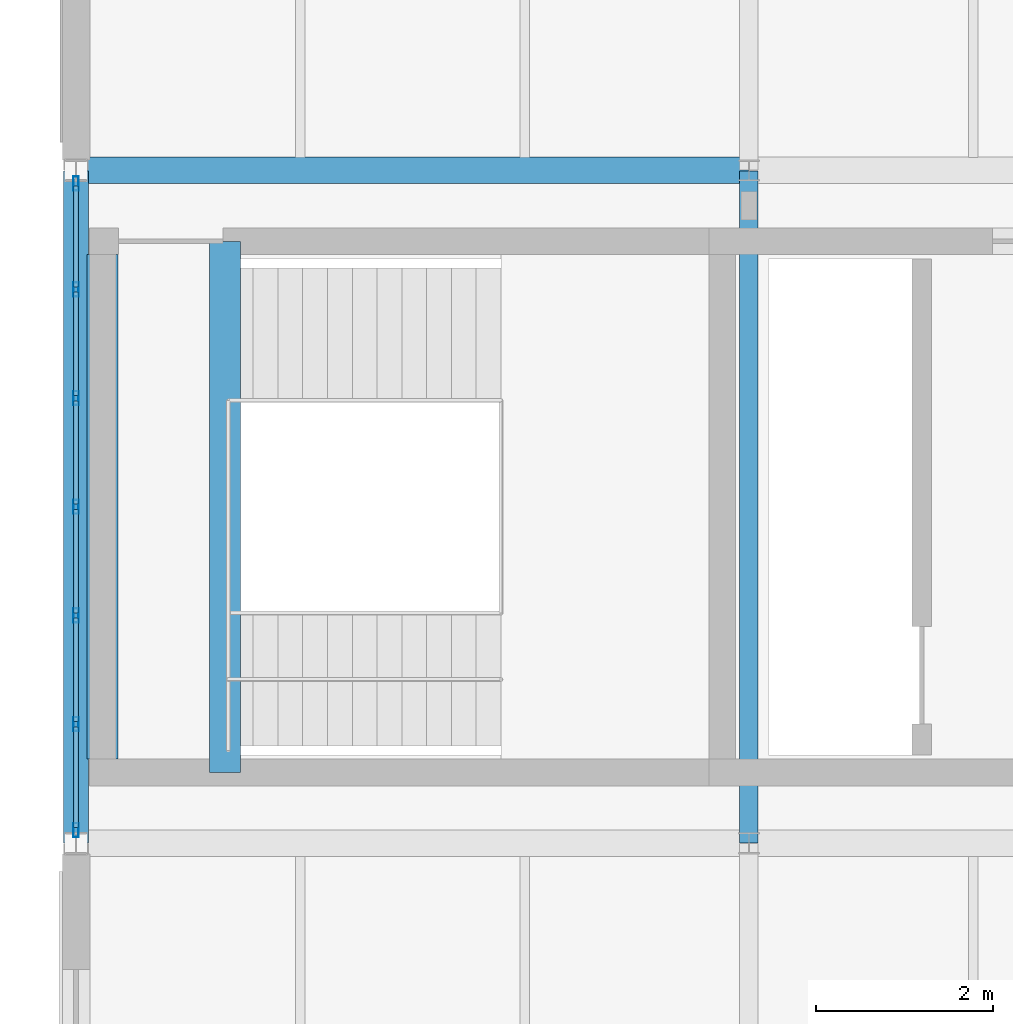
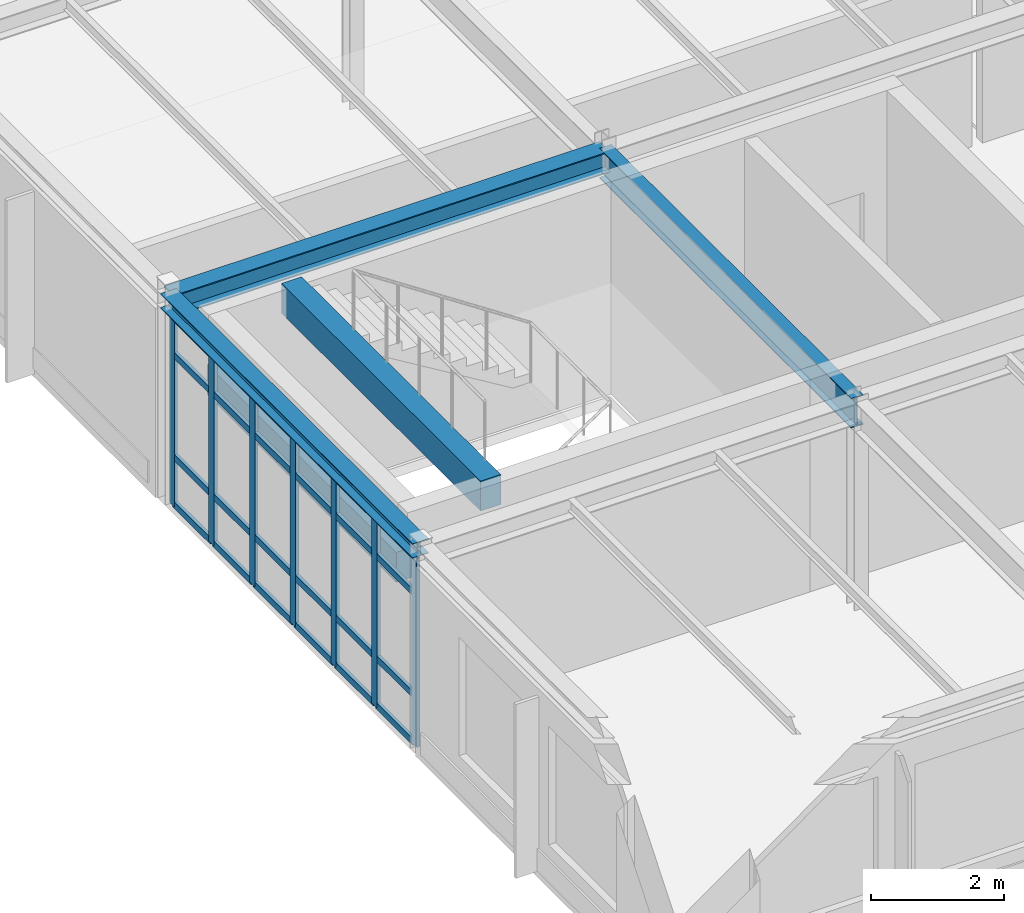
# One storey, part 26 of 189: 31 members, 5 beams, 1 element without a shape of its own.
"""IFC4 building model written with IfcOpenShell, lengths in metres."""

from ifc_helpers import new_model, si_unit, direction, frame, origin, origin_2d, place, context, subcontext, project, spatial, rectangle, hollow_rectangle, i_section, extrude, material, layer, layer_set, material_profile, profile_set, type_object, element, aggregate, save


model = new_model("IFC4")

# Units and contexts
model_context = context("Model", 3, precision=1e-05, world=origin(), true_north=direction((0.0, 1.0)))
body_context = subcontext(model_context, "Body", "Model", "MODEL_VIEW")
ifc_project = project(units=[si_unit("LENGTHUNIT", "METRE"), si_unit("AREAUNIT", "SQUARE_METRE"), si_unit("VOLUMEUNIT", "CUBIC_METRE"), si_unit("PLANEANGLEUNIT", "RADIAN"), si_unit("MASSUNIT", "GRAM", prefix="KILO")], contexts=[model_context])

# Site, building, storey
site_placement = place(None, origin())
site = spatial("IfcSite", under=ifc_project, at=site_placement, CompositionType="ELEMENT")
building_placement = place(site_placement, origin())
building = spatial("IfcBuilding", under=site, at=building_placement, Name="Montecoro Central Library", CompositionType="ELEMENT")
storey_placement = place(building_placement, frame((0.0, 0.0, 9.179931640625)))
storey = spatial("IfcBuildingStorey", under=building, at=storey_placement, Name="L02", CompositionType="ELEMENT", Elevation=9.179931640625)

# Beams
ifc_material_1 = material(Name="Steel S355", Category="steel")
ifc_material_profile_1 = material_profile(ifc_material_1, i_section(OverallWidth=0.300048828125, OverallDepth=0.389892578125, WebThickness=0.010986328125, FlangeThickness=0.01904296875, at=origin_2d()), Name="HEA 400")
ifc_profile_set_1 = profile_set([ifc_material_profile_1], Name="Steel S355")
beam_type_1 = type_object("IfcBeamType", Name="BM-G-HEA400", PredefinedType="USERDEFINED", material=ifc_profile_set_1)
beam_1_placement = place(storey_placement, frame((5.0048828125, 20.199951171875, 3.630126953125), z_axis=(1.0, 0.0, 0.0), x_axis=(0.0, 1.0, 0.0)))
element("IfcBeam", 1, at=beam_1_placement, inside=storey, type_object=beam_type_1, Name="V3-L02-BX-12-C", ObjectType="GIRDER", PredefinedType="USERDEFINED", context=body_context, shape_type="SweptSolid", body=[
    extrude(i_section(OverallWidth=0.300048828125, OverallDepth=0.389892578125, WebThickness=0.010986328125, FlangeThickness=0.01904296875, at=origin_2d()), origin(), (0.0, 0.0, 1.0), 7.590087890625),
])
ifc_material_2 = material(Name="Steel S355J2", Category="steel")
ifc_material_profile_2 = material_profile(ifc_material_2, i_section(OverallWidth=0.2099609375, OverallDepth=0.550048828125, WebThickness=0.010986328125, FlangeThickness=0.01708984375, at=origin_2d()), Name="IPE 550")
ifc_profile_set_2 = profile_set([ifc_material_profile_2], Name="Steel S355J2")
beam_type_2 = type_object("IfcBeamType", Name="BM-G-IPE550", PredefinedType="USERDEFINED", material=ifc_profile_set_2)
beam_2_placement = place(storey_placement, frame((12.60009765625, 12.60498046875, 3.550048828125), z_axis=(0.0, 1.0, 0.0), x_axis=(-1.0, 0.0, 0.0)))
element("IfcBeam", 2, at=beam_2_placement, inside=storey, type_object=beam_type_2, Name="V3-L02-BY-2-BC", ObjectType="GIRDER", PredefinedType="USERDEFINED", context=body_context, shape_type="SweptSolid", body=[
    extrude(i_section(OverallWidth=0.2099609375, OverallDepth=0.550048828125, WebThickness=0.010986328125, FlangeThickness=0.01708984375, at=origin_2d()), origin(), (0.0, 0.0, 1.0), 7.590087890625),
])
ifc_material_3 = material(Name="Concrete C35/45", Category="concrete")
ifc_material_profile_3 = material_profile(ifc_material_3, rectangle(XDim=0.35009765625, YDim=0.550048828125, at=origin_2d()), Name="RC LNT 550x350")
ifc_profile_set_3 = profile_set([ifc_material_profile_3], Name="Concrete C35/45")
beam_type_3 = type_object("IfcBeamType", Name="BM-LN-RC04", PredefinedType="LINTEL", material=ifc_profile_set_3)
beam_3_placement = place(storey_placement, frame((5.300048828125, 13.550048828125, 2.72509765625), z_axis=(0.0, 1.0, 0.0), x_axis=(-1.0, 0.0, 0.0)))
element("IfcBeam", 3, at=beam_3_placement, inside=storey, type_object=beam_type_3, Name="C4-L02-LNT", PredefinedType="LINTEL", context=body_context, shape_type="SweptSolid", body=[
    extrude(rectangle(XDim=0.35009765625, YDim=0.550048828125, at=origin_2d()), origin(), (0.0, 0.0, 1.0), 5.699951171875),
])
beam_4_placement = place(storey_placement, frame((6.679931640625, 13.39990234375, 3.64501953125), z_axis=(0.0, 1.0, 0.0), x_axis=(-1.0, 0.0, 0.0)))
element("IfcBeam", 4, at=beam_4_placement, inside=storey, type_object=beam_type_3, Name="C4-L02-ARR", PredefinedType="LINTEL", context=body_context, shape_type="SweptSolid", body=[
    extrude(rectangle(XDim=0.35009765625, YDim=0.550048828125, at=origin_2d()), origin(), (0.0, 0.0, 1.0), 6.0),
])
ifc_material_profile_4 = material_profile(ifc_material_1, i_section(OverallWidth=0.280029296875, OverallDepth=0.27001953125, WebThickness=0.008056640625, FlangeThickness=0.012939453125, at=origin_2d()), Name="HEA 280")
ifc_profile_set_4 = profile_set([ifc_material_profile_4], Name="Steel S355")
beam_type_4 = type_object("IfcBeamType", Name="BM-SP-HEA280", PredefinedType="SPANDREL", material=ifc_profile_set_4)
beam_5_placement = place(storey_placement, frame((5.0, 12.60498046875, 3.690185546875), z_axis=(0.0, 1.0, 0.0), x_axis=(-1.0, 0.0, 0.0)))
element("IfcBeam", 5, at=beam_5_placement, inside=storey, type_object=beam_type_4, Name="V3-L02-BY-1-BC", PredefinedType="SPANDREL", context=body_context, shape_type="SweptSolid", body=[
    extrude(i_section(OverallWidth=0.280029296875, OverallDepth=0.27001953125, WebThickness=0.008056640625, FlangeThickness=0.012939453125, at=origin_2d()), origin(), (0.0, 0.0, 1.0), 7.590087890625),
])

# Curtain wall, members
ifc_material_4 = material(Name="Bronze-anodised aluminium and low-E glazing", Category="aluminium")
ifc_layer = layer(ifc_material_4, 0.159912109375)
ifc_layer_set = layer_set([ifc_layer], Name="Bronze-anodised aluminium and low-E glazing")
curtain_wall_type = type_object("IfcCurtainWallType", Name="CWT-035", PredefinedType="NOTDEFINED", material=ifc_layer_set)
curtain_wall_placement = place(storey_placement, origin())
curtain_wall = element("IfcCurtainWall", 6, at=curtain_wall_placement, inside=storey, type_object=curtain_wall_type, Name="V3-L02-CW-W1", PredefinedType="NOTDEFINED")
ifc_material_5 = material(Name="Bronze-anodised aluminium", Category="aluminium")
ifc_material_profile_5 = material_profile(ifc_material_5, hollow_rectangle(XDim=0.06005859375, YDim=0.159912109375, WallThickness=0.00390625, at=origin_2d()), Name="CWM 160x60x4.0")
ifc_profile_set_5 = profile_set([ifc_material_profile_5], Name="Bronze-anodised aluminium")
member_type_1 = type_object("IfcMemberType", Name="CWM-BRZ-60", PredefinedType="MULLION", material=ifc_profile_set_5)
member_1_placement = place(storey_placement, frame((5.0, 20.052001953125, 0.0), z_axis=(0.0, 0.0, 1.0), x_axis=(1.0, 0.0, 0.0)))
member_1 = element("IfcMember", 7, at=member_1_placement, type_object=member_type_1, Name="CW-035 mullion 1", PredefinedType="MULLION", context=body_context, shape_type="SweptSolid", body=[
    extrude(hollow_rectangle(XDim=0.06005859375, YDim=0.159912109375, WallThickness=0.00390625, at=origin_2d()), origin(), (0.0, 0.0, 1.0), 3.47998046875),
])
member_2_placement = place(storey_placement, frame((5.0, 18.854736328125, 0.0), z_axis=(0.0, 0.0, 1.0), x_axis=(1.0, 0.0, 0.0)))
member_2 = element("IfcMember", 8, at=member_2_placement, type_object=member_type_1, Name="CW-035 mullion 2", PredefinedType="MULLION", context=body_context, shape_type="SweptSolid", body=[
    extrude(hollow_rectangle(XDim=0.06005859375, YDim=0.159912109375, WallThickness=0.00390625, at=origin_2d()), origin(), (0.0, 0.0, 1.0), 3.47998046875),
])
member_3_placement = place(storey_placement, frame((5.0, 17.62744140625, 0.0), z_axis=(0.0, 0.0, 1.0), x_axis=(1.0, 0.0, 0.0)))
member_3 = element("IfcMember", 9, at=member_3_placement, type_object=member_type_1, Name="CW-035 mullion 3", PredefinedType="MULLION", context=body_context, shape_type="SweptSolid", body=[
    extrude(hollow_rectangle(XDim=0.06005859375, YDim=0.159912109375, WallThickness=0.00390625, at=origin_2d()), origin(), (0.0, 0.0, 1.0), 3.47998046875),
])
member_4_placement = place(storey_placement, frame((5.0, 16.39990234375, 0.0), z_axis=(0.0, 0.0, 1.0), x_axis=(1.0, 0.0, 0.0)))
member_4 = element("IfcMember", 10, at=member_4_placement, type_object=member_type_1, Name="CW-035 mullion 4", PredefinedType="MULLION", context=body_context, shape_type="SweptSolid", body=[
    extrude(hollow_rectangle(XDim=0.06005859375, YDim=0.159912109375, WallThickness=0.00390625, at=origin_2d()), origin(), (0.0, 0.0, 1.0), 3.47998046875),
])
member_5_placement = place(storey_placement, frame((5.0, 15.172607421875, 0.0), z_axis=(0.0, 0.0, 1.0), x_axis=(1.0, 0.0, 0.0)))
member_5 = element("IfcMember", 11, at=member_5_placement, type_object=member_type_1, Name="CW-035 mullion 5", PredefinedType="MULLION", context=body_context, shape_type="SweptSolid", body=[
    extrude(hollow_rectangle(XDim=0.06005859375, YDim=0.159912109375, WallThickness=0.00390625, at=origin_2d()), origin(), (0.0, 0.0, 1.0), 3.47998046875),
])
member_6_placement = place(storey_placement, frame((5.0, 13.9453125, 0.0), z_axis=(0.0, 0.0, 1.0), x_axis=(1.0, 0.0, 0.0)))
member_6 = element("IfcMember", 12, at=member_6_placement, type_object=member_type_1, Name="CW-035 mullion 6", PredefinedType="MULLION", context=body_context, shape_type="SweptSolid", body=[
    extrude(hollow_rectangle(XDim=0.06005859375, YDim=0.159912109375, WallThickness=0.00390625, at=origin_2d()), origin(), (0.0, 0.0, 1.0), 3.47998046875),
])
member_7_placement = place(storey_placement, frame((5.0, 12.748046875, 0.0), z_axis=(0.0, 0.0, 1.0), x_axis=(1.0, 0.0, 0.0)))
member_7 = element("IfcMember", 13, at=member_7_placement, type_object=member_type_1, Name="CW-035 mullion 7", PredefinedType="MULLION", context=body_context, shape_type="SweptSolid", body=[
    extrude(hollow_rectangle(XDim=0.06005859375, YDim=0.159912109375, WallThickness=0.00390625, at=origin_2d()), origin(), (0.0, 0.0, 1.0), 3.47998046875),
])
ifc_material_profile_6 = material_profile(ifc_material_5, hollow_rectangle(XDim=0.06005859375, YDim=0.1201171875, WallThickness=0.00390625, at=origin_2d()), Name="CWT 120x60x4.0")
ifc_profile_set_6 = profile_set([ifc_material_profile_6], Name="Bronze-anodised aluminium")
member_type_2 = type_object("IfcMemberType", Name="CWT-BRZ-60", PredefinedType="USERDEFINED", material=ifc_profile_set_6)
member_8_placement = place(storey_placement, frame((5.0, 20.02197265625, 0.030029296875), z_axis=(0.0, -1.0, 0.0), x_axis=(1.0, 0.0, 0.0)))
member_8 = element("IfcMember", 14, at=member_8_placement, type_object=member_type_2, Name="CW-035 transom 1.1", ObjectType="TRANSOM", PredefinedType="USERDEFINED", context=body_context, shape_type="SweptSolid", body=[
    extrude(hollow_rectangle(XDim=0.06005859375, YDim=0.1201171875, WallThickness=0.00390625, at=origin_2d()), origin(), (0.0, 0.0, 1.0), 1.13720703125),
])
member_9_placement = place(storey_placement, frame((5.0, 20.02197265625, 0.900146484375), z_axis=(0.0, -1.0, 0.0), x_axis=(1.0, 0.0, 0.0)))
member_9 = element("IfcMember", 15, at=member_9_placement, type_object=member_type_2, Name="CW-035 transom 1.2", ObjectType="TRANSOM", PredefinedType="USERDEFINED", context=body_context, shape_type="SweptSolid", body=[
    extrude(hollow_rectangle(XDim=0.06005859375, YDim=0.1201171875, WallThickness=0.00390625, at=origin_2d()), origin(), (0.0, 0.0, 1.0), 1.13720703125),
])
member_10_placement = place(storey_placement, frame((5.0, 20.02197265625, 2.780029296875), z_axis=(0.0, -1.0, 0.0), x_axis=(1.0, 0.0, 0.0)))
member_10 = element("IfcMember", 16, at=member_10_placement, type_object=member_type_2, Name="CW-035 transom 1.3", ObjectType="TRANSOM", PredefinedType="USERDEFINED", context=body_context, shape_type="SweptSolid", body=[
    extrude(hollow_rectangle(XDim=0.06005859375, YDim=0.1201171875, WallThickness=0.00390625, at=origin_2d()), origin(), (0.0, 0.0, 1.0), 1.13720703125),
])
member_11_placement = place(storey_placement, frame((5.0, 20.02197265625, 3.449951171875), z_axis=(0.0, -1.0, 0.0), x_axis=(1.0, 0.0, 0.0)))
member_11 = element("IfcMember", 17, at=member_11_placement, type_object=member_type_2, Name="CW-035 transom 1.4", ObjectType="TRANSOM", PredefinedType="USERDEFINED", context=body_context, shape_type="SweptSolid", body=[
    extrude(hollow_rectangle(XDim=0.06005859375, YDim=0.1201171875, WallThickness=0.00390625, at=origin_2d()), origin(), (0.0, 0.0, 1.0), 1.13720703125),
])
member_12_placement = place(storey_placement, frame((5.0, 18.82470703125, 0.030029296875), z_axis=(0.0, -1.0, 0.0), x_axis=(1.0, 0.0, 0.0)))
member_12 = element("IfcMember", 18, at=member_12_placement, type_object=member_type_2, Name="CW-035 transom 2.1", ObjectType="TRANSOM", PredefinedType="USERDEFINED", context=body_context, shape_type="SweptSolid", body=[
    extrude(hollow_rectangle(XDim=0.06005859375, YDim=0.1201171875, WallThickness=0.00390625, at=origin_2d()), origin(), (0.0, 0.0, 1.0), 1.16748046875),
])
member_13_placement = place(storey_placement, frame((5.0, 18.82470703125, 0.900146484375), z_axis=(0.0, -1.0, 0.0), x_axis=(1.0, 0.0, 0.0)))
member_13 = element("IfcMember", 19, at=member_13_placement, type_object=member_type_2, Name="CW-035 transom 2.2", ObjectType="TRANSOM", PredefinedType="USERDEFINED", context=body_context, shape_type="SweptSolid", body=[
    extrude(hollow_rectangle(XDim=0.06005859375, YDim=0.1201171875, WallThickness=0.00390625, at=origin_2d()), origin(), (0.0, 0.0, 1.0), 1.16748046875),
])
member_14_placement = place(storey_placement, frame((5.0, 18.82470703125, 2.780029296875), z_axis=(0.0, -1.0, 0.0), x_axis=(1.0, 0.0, 0.0)))
member_14 = element("IfcMember", 20, at=member_14_placement, type_object=member_type_2, Name="CW-035 transom 2.3", ObjectType="TRANSOM", PredefinedType="USERDEFINED", context=body_context, shape_type="SweptSolid", body=[
    extrude(hollow_rectangle(XDim=0.06005859375, YDim=0.1201171875, WallThickness=0.00390625, at=origin_2d()), origin(), (0.0, 0.0, 1.0), 1.16748046875),
])
member_15_placement = place(storey_placement, frame((5.0, 18.82470703125, 3.449951171875), z_axis=(0.0, -1.0, 0.0), x_axis=(1.0, 0.0, 0.0)))
member_15 = element("IfcMember", 21, at=member_15_placement, type_object=member_type_2, Name="CW-035 transom 2.4", ObjectType="TRANSOM", PredefinedType="USERDEFINED", context=body_context, shape_type="SweptSolid", body=[
    extrude(hollow_rectangle(XDim=0.06005859375, YDim=0.1201171875, WallThickness=0.00390625, at=origin_2d()), origin(), (0.0, 0.0, 1.0), 1.16748046875),
])
member_16_placement = place(storey_placement, frame((5.0, 17.597412109375, 0.030029296875), z_axis=(0.0, -1.0, 0.0), x_axis=(1.0, 0.0, 0.0)))
member_16 = element("IfcMember", 22, at=member_16_placement, type_object=member_type_2, Name="CW-035 transom 3.1", ObjectType="TRANSOM", PredefinedType="USERDEFINED", context=body_context, shape_type="SweptSolid", body=[
    extrude(hollow_rectangle(XDim=0.06005859375, YDim=0.1201171875, WallThickness=0.00390625, at=origin_2d()), origin(), (0.0, 0.0, 1.0), 1.16748046875),
])
member_17_placement = place(storey_placement, frame((5.0, 17.597412109375, 0.900146484375), z_axis=(0.0, -1.0, 0.0), x_axis=(1.0, 0.0, 0.0)))
member_17 = element("IfcMember", 23, at=member_17_placement, type_object=member_type_2, Name="CW-035 transom 3.2", ObjectType="TRANSOM", PredefinedType="USERDEFINED", context=body_context, shape_type="SweptSolid", body=[
    extrude(hollow_rectangle(XDim=0.06005859375, YDim=0.1201171875, WallThickness=0.00390625, at=origin_2d()), origin(), (0.0, 0.0, 1.0), 1.16748046875),
])
member_18_placement = place(storey_placement, frame((5.0, 17.597412109375, 2.780029296875), z_axis=(0.0, -1.0, 0.0), x_axis=(1.0, 0.0, 0.0)))
member_18 = element("IfcMember", 24, at=member_18_placement, type_object=member_type_2, Name="CW-035 transom 3.3", ObjectType="TRANSOM", PredefinedType="USERDEFINED", context=body_context, shape_type="SweptSolid", body=[
    extrude(hollow_rectangle(XDim=0.06005859375, YDim=0.1201171875, WallThickness=0.00390625, at=origin_2d()), origin(), (0.0, 0.0, 1.0), 1.16748046875),
])
member_19_placement = place(storey_placement, frame((5.0, 17.597412109375, 3.449951171875), z_axis=(0.0, -1.0, 0.0), x_axis=(1.0, 0.0, 0.0)))
member_19 = element("IfcMember", 25, at=member_19_placement, type_object=member_type_2, Name="CW-035 transom 3.4", ObjectType="TRANSOM", PredefinedType="USERDEFINED", context=body_context, shape_type="SweptSolid", body=[
    extrude(hollow_rectangle(XDim=0.06005859375, YDim=0.1201171875, WallThickness=0.00390625, at=origin_2d()), origin(), (0.0, 0.0, 1.0), 1.16748046875),
])
member_20_placement = place(storey_placement, frame((5.0, 16.3701171875, 0.030029296875), z_axis=(0.0, -1.0, 0.0), x_axis=(1.0, 0.0, 0.0)))
member_20 = element("IfcMember", 26, at=member_20_placement, type_object=member_type_2, Name="CW-035 transom 4.1", ObjectType="TRANSOM", PredefinedType="USERDEFINED", context=body_context, shape_type="SweptSolid", body=[
    extrude(hollow_rectangle(XDim=0.06005859375, YDim=0.1201171875, WallThickness=0.00390625, at=origin_2d()), origin(), (0.0, 0.0, 1.0), 1.16748046875),
])
member_21_placement = place(storey_placement, frame((5.0, 16.3701171875, 0.900146484375), z_axis=(0.0, -1.0, 0.0), x_axis=(1.0, 0.0, 0.0)))
member_21 = element("IfcMember", 27, at=member_21_placement, type_object=member_type_2, Name="CW-035 transom 4.2", ObjectType="TRANSOM", PredefinedType="USERDEFINED", context=body_context, shape_type="SweptSolid", body=[
    extrude(hollow_rectangle(XDim=0.06005859375, YDim=0.1201171875, WallThickness=0.00390625, at=origin_2d()), origin(), (0.0, 0.0, 1.0), 1.16748046875),
])
member_22_placement = place(storey_placement, frame((5.0, 16.3701171875, 2.780029296875), z_axis=(0.0, -1.0, 0.0), x_axis=(1.0, 0.0, 0.0)))
member_22 = element("IfcMember", 28, at=member_22_placement, type_object=member_type_2, Name="CW-035 transom 4.3", ObjectType="TRANSOM", PredefinedType="USERDEFINED", context=body_context, shape_type="SweptSolid", body=[
    extrude(hollow_rectangle(XDim=0.06005859375, YDim=0.1201171875, WallThickness=0.00390625, at=origin_2d()), origin(), (0.0, 0.0, 1.0), 1.16748046875),
])
member_23_placement = place(storey_placement, frame((5.0, 16.3701171875, 3.449951171875), z_axis=(0.0, -1.0, 0.0), x_axis=(1.0, 0.0, 0.0)))
member_23 = element("IfcMember", 29, at=member_23_placement, type_object=member_type_2, Name="CW-035 transom 4.4", ObjectType="TRANSOM", PredefinedType="USERDEFINED", context=body_context, shape_type="SweptSolid", body=[
    extrude(hollow_rectangle(XDim=0.06005859375, YDim=0.1201171875, WallThickness=0.00390625, at=origin_2d()), origin(), (0.0, 0.0, 1.0), 1.16748046875),
])
member_24_placement = place(storey_placement, frame((5.0, 15.142578125, 0.030029296875), z_axis=(0.0, -1.0, 0.0), x_axis=(1.0, 0.0, 0.0)))
member_24 = element("IfcMember", 30, at=member_24_placement, type_object=member_type_2, Name="CW-035 transom 5.1", ObjectType="TRANSOM", PredefinedType="USERDEFINED", context=body_context, shape_type="SweptSolid", body=[
    extrude(hollow_rectangle(XDim=0.06005859375, YDim=0.1201171875, WallThickness=0.00390625, at=origin_2d()), origin(), (0.0, 0.0, 1.0), 1.167236328125),
])
member_25_placement = place(storey_placement, frame((5.0, 15.142578125, 0.900146484375), z_axis=(0.0, -1.0, 0.0), x_axis=(1.0, 0.0, 0.0)))
member_25 = element("IfcMember", 31, at=member_25_placement, type_object=member_type_2, Name="CW-035 transom 5.2", ObjectType="TRANSOM", PredefinedType="USERDEFINED", context=body_context, shape_type="SweptSolid", body=[
    extrude(hollow_rectangle(XDim=0.06005859375, YDim=0.1201171875, WallThickness=0.00390625, at=origin_2d()), origin(), (0.0, 0.0, 1.0), 1.167236328125),
])
member_26_placement = place(storey_placement, frame((5.0, 15.142578125, 2.780029296875), z_axis=(0.0, -1.0, 0.0), x_axis=(1.0, 0.0, 0.0)))
member_26 = element("IfcMember", 32, at=member_26_placement, type_object=member_type_2, Name="CW-035 transom 5.3", ObjectType="TRANSOM", PredefinedType="USERDEFINED", context=body_context, shape_type="SweptSolid", body=[
    extrude(hollow_rectangle(XDim=0.06005859375, YDim=0.1201171875, WallThickness=0.00390625, at=origin_2d()), origin(), (0.0, 0.0, 1.0), 1.167236328125),
])
member_27_placement = place(storey_placement, frame((5.0, 15.142578125, 3.449951171875), z_axis=(0.0, -1.0, 0.0), x_axis=(1.0, 0.0, 0.0)))
member_27 = element("IfcMember", 33, at=member_27_placement, type_object=member_type_2, Name="CW-035 transom 5.4", ObjectType="TRANSOM", PredefinedType="USERDEFINED", context=body_context, shape_type="SweptSolid", body=[
    extrude(hollow_rectangle(XDim=0.06005859375, YDim=0.1201171875, WallThickness=0.00390625, at=origin_2d()), origin(), (0.0, 0.0, 1.0), 1.167236328125),
])
member_28_placement = place(storey_placement, frame((5.0, 13.915283203125, 0.030029296875), z_axis=(0.0, -1.0, 0.0), x_axis=(1.0, 0.0, 0.0)))
member_28 = element("IfcMember", 34, at=member_28_placement, type_object=member_type_2, Name="CW-035 transom 6.1", ObjectType="TRANSOM", PredefinedType="USERDEFINED", context=body_context, shape_type="SweptSolid", body=[
    extrude(hollow_rectangle(XDim=0.06005859375, YDim=0.1201171875, WallThickness=0.00390625, at=origin_2d()), origin(), (0.0, 0.0, 1.0), 1.13720703125),
])
member_29_placement = place(storey_placement, frame((5.0, 13.915283203125, 0.900146484375), z_axis=(0.0, -1.0, 0.0), x_axis=(1.0, 0.0, 0.0)))
member_29 = element("IfcMember", 35, at=member_29_placement, type_object=member_type_2, Name="CW-035 transom 6.2", ObjectType="TRANSOM", PredefinedType="USERDEFINED", context=body_context, shape_type="SweptSolid", body=[
    extrude(hollow_rectangle(XDim=0.06005859375, YDim=0.1201171875, WallThickness=0.00390625, at=origin_2d()), origin(), (0.0, 0.0, 1.0), 1.13720703125),
])
member_30_placement = place(storey_placement, frame((5.0, 13.915283203125, 2.780029296875), z_axis=(0.0, -1.0, 0.0), x_axis=(1.0, 0.0, 0.0)))
member_30 = element("IfcMember", 36, at=member_30_placement, type_object=member_type_2, Name="CW-035 transom 6.3", ObjectType="TRANSOM", PredefinedType="USERDEFINED", context=body_context, shape_type="SweptSolid", body=[
    extrude(hollow_rectangle(XDim=0.06005859375, YDim=0.1201171875, WallThickness=0.00390625, at=origin_2d()), origin(), (0.0, 0.0, 1.0), 1.13720703125),
])
member_31_placement = place(storey_placement, frame((5.0, 13.915283203125, 3.449951171875), z_axis=(0.0, -1.0, 0.0), x_axis=(1.0, 0.0, 0.0)))
member_31 = element("IfcMember", 37, at=member_31_placement, type_object=member_type_2, Name="CW-035 transom 6.4", ObjectType="TRANSOM", PredefinedType="USERDEFINED", context=body_context, shape_type="SweptSolid", body=[
    extrude(hollow_rectangle(XDim=0.06005859375, YDim=0.1201171875, WallThickness=0.00390625, at=origin_2d()), origin(), (0.0, 0.0, 1.0), 1.13720703125),
])
aggregate(curtain_wall, [member_1, member_2, member_3, member_4, member_5, member_6, member_7, member_8, member_9, member_10, member_11, member_12, member_13, member_14, member_15, member_16, member_17, member_18, member_19, member_20, member_21, member_22, member_23, member_24, member_25, member_26, member_27, member_28, member_29, member_30, member_31])

save(model, "model.ifc")
